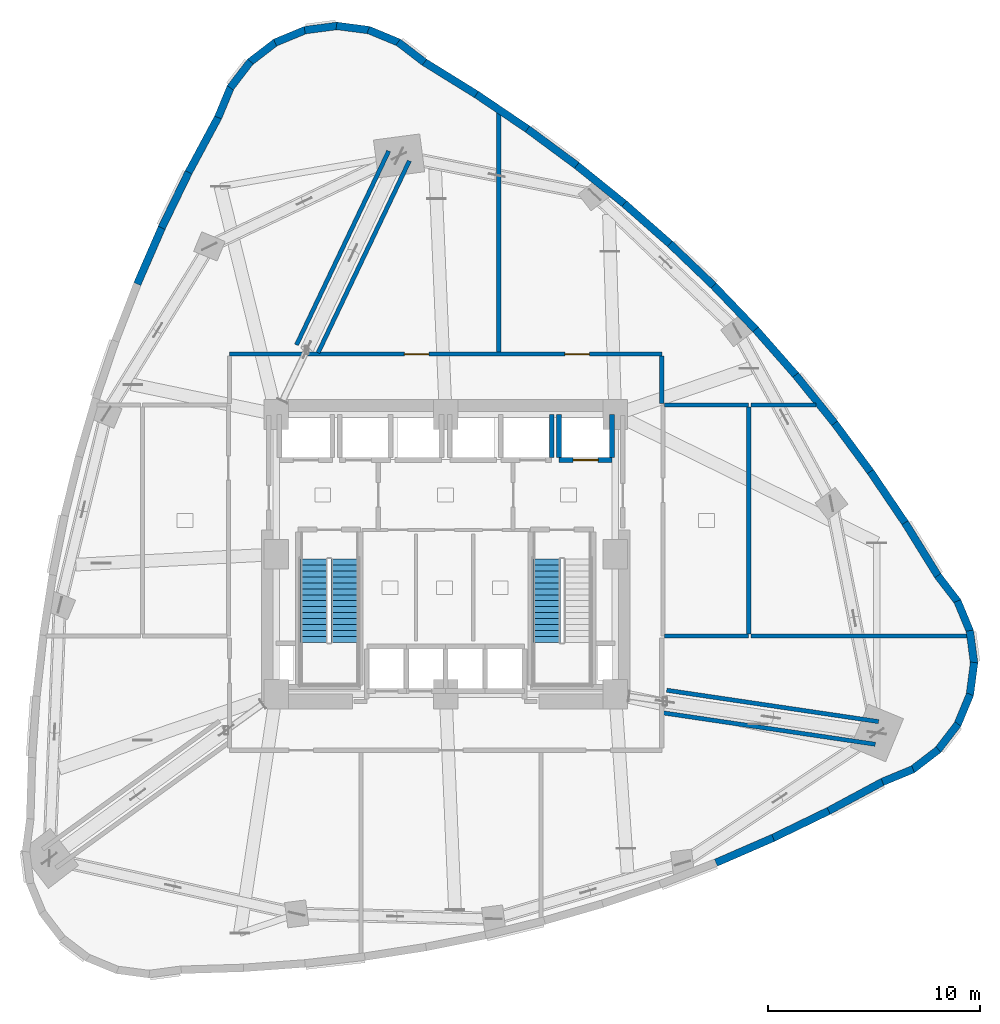
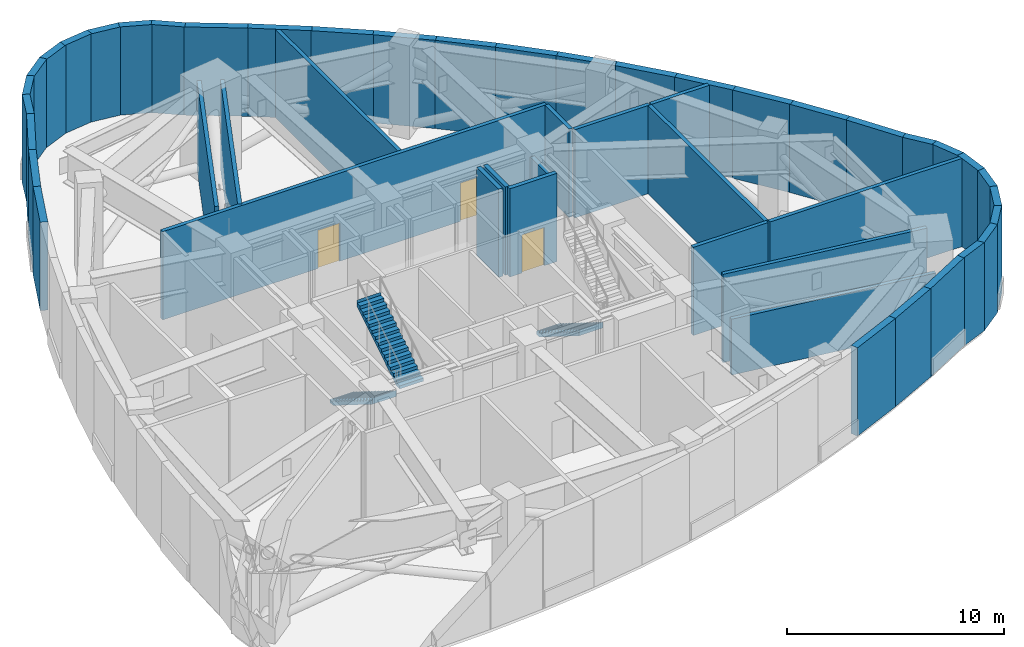
# One storey, part 8 of 13: 50 walls, 3 doors, 3 stair flights, 3 openings, 2 elements without a shape of their own.
"""IFC4 building model written with IfcOpenShell, lengths in metres."""

import ifcopenshell
import ifcopenshell.guid

model = None  # the IFC model being written
_history = None  # IfcOwnerHistory: only IFC2X3 demands one
_inside = {}  # id of a spatial element -> (the spatial element, [elements in it])
_under = {}  # id of a project, library or spatial element -> (it, [spatial elements below it])
_declared = {}  # id of a project -> (the project, [libraries it declares])
_typed = {}  # id of a type object -> (the type object, [elements of that type])
_made_of = {}  # id of a material, layer set ... -> (it, [elements and type objects made of it])


def new_model(schema):
    """Start an empty IFC model of exactly this schema.

    Asked for "IFC4X3", IfcOpenShell would pick the latest addendum, in which some entities
    have other attributes; the version numbers below select the first issue.
    IFC2X3 requires an IfcOwnerHistory on every rooted entity: one is made here for all.
    """
    global model, _history
    if schema == "IFC4X3":
        model = ifcopenshell.file(schema_version=(4, 3, 0, 0))
    else:
        model = ifcopenshell.file(schema=schema)
    _inside.clear()
    _under.clear()
    _declared.clear()
    _typed.clear()
    _made_of.clear()
    _history = None
    if model.schema == "IFC2X3":
        org = make("IfcOrganization", Name="unknown")
        user = make(
            "IfcPersonAndOrganization",
            ThePerson=make("IfcPerson", FamilyName="unknown"),
            TheOrganization=org,
        )
        app = make(
            "IfcApplication",
            ApplicationDeveloper=org,
            Version="unknown",
            ApplicationFullName="unknown",
            ApplicationIdentifier="unknown",
        )
        _history = make(
            "IfcOwnerHistory",
            OwningUser=user,
            OwningApplication=app,
            ChangeAction="ADDED",
            CreationDate=0,
        )
    return model


def make(cls, **values):
    """One entity of the class cls with the attributes given. An attribute that is None is left unset."""
    return model.create_entity(
        cls, **{name: value for name, value in values.items() if value is not None}
    )


def rooted(cls, **values):
    """An entity with a GlobalId (a new one), such as an element, a storey or a relation."""
    return make(cls, GlobalId=ifcopenshell.guid.new(), OwnerHistory=_history, **values)


def si_unit(unit_type, name, prefix=None):
    """IfcSIUnit, for example si_unit("LENGTHUNIT", "METRE", prefix="MILLI")."""
    return make("IfcSIUnit", UnitType=unit_type, Prefix=prefix, Name=name)


def assignment(units):
    """IfcUnitAssignment: the units of a project."""
    return None if units is None else make("IfcUnitAssignment", Units=units)


def point(xyz):
    """IfcCartesianPoint."""
    return None if xyz is None else make("IfcCartesianPoint", Coordinates=xyz)


def direction(xyz):
    """IfcDirection."""
    return None if xyz is None else make("IfcDirection", DirectionRatios=xyz)


def frame(location, z_axis=None, x_axis=None):
    """IfcAxis2Placement3D, a coordinate frame: its origin and axes. An axis left out is left unset."""
    return make(
        "IfcAxis2Placement3D",
        Location=point(location),
        Axis=direction(z_axis),
        RefDirection=direction(x_axis),
    )


def frame_2d(location, x_axis=None):
    """IfcAxis2Placement2D, a coordinate frame in the plane: its origin and x axis."""
    return make(
        "IfcAxis2Placement2D", Location=point(location), RefDirection=direction(x_axis)
    )


def origin():
    """The frame at (0, 0, 0) with its axes left unset."""
    return frame((0.0, 0.0, 0.0))


def place(relative_to, where):
    """IfcLocalPlacement: puts the frame where relative to a parent placement (None: the world)."""
    return make(
        "IfcLocalPlacement", PlacementRelTo=relative_to, RelativePlacement=where
    )


def context(
    kind, dimensions, precision=None, world=None, true_north=None, identifier=None
):
    """IfcGeometricRepresentationContext, for example the 3D "Model" context."""
    return make(
        "IfcGeometricRepresentationContext",
        ContextIdentifier=identifier,
        ContextType=kind,
        CoordinateSpaceDimension=dimensions,
        Precision=precision,
        WorldCoordinateSystem=world,
        TrueNorth=true_north,
    )


def subcontext(parent, identifier, kind, view, scale=None):
    """IfcGeometricRepresentationSubContext, for example "Body" below "Model"."""
    return make(
        "IfcGeometricRepresentationSubContext",
        ContextIdentifier=identifier,
        ContextType=kind,
        ParentContext=parent,
        TargetScale=scale,
        TargetView=view,
    )


def project(units=None, contexts=None):
    """IfcProject with its units and contexts."""
    return rooted(
        "IfcProject",
        Name="project",
        RepresentationContexts=contexts,
        UnitsInContext=assignment(units),
    )


def spatial(cls, under=None, at=None, **own):
    """A site, building, storey or space (cls), placed at a placement, below another one or the project."""
    s = rooted(cls, ObjectPlacement=at, **own)
    if under is not None:
        _under.setdefault(under.id(), (under, []))[1].append(s)
    return s


def polyline(points):
    """IfcPolyline through the points."""
    return make("IfcPolyline", Points=[point(p) for p in points])


def profile(cls, at=None, kind="AREA", **sizes):
    """A parametric profile (cls). Its sizes go by their IFC names, for example OverallWidth=200.0."""
    return make(cls, ProfileType=kind, Position=at, **sizes)


def rectangle(**sizes):
    """IfcRectangleProfileDef."""
    return profile("IfcRectangleProfileDef", **sizes)


def outline(outer, holes=None, kind="AREA"):
    """IfcArbitraryClosedProfileDef: a profile drawn as a closed curve; with holes, ...WithVoids."""
    if holes is None:
        return make("IfcArbitraryClosedProfileDef", ProfileType=kind, OuterCurve=outer)
    return make(
        "IfcArbitraryProfileDefWithVoids",
        ProfileType=kind,
        OuterCurve=outer,
        InnerCurves=holes,
    )


def extrude(swept, where, along, depth):
    """IfcExtrudedAreaSolid: the profile swept, set in the frame where, extruded along a direction by depth."""
    return make(
        "IfcExtrudedAreaSolid",
        SweptArea=swept,
        Position=where,
        ExtrudedDirection=direction(along),
        Depth=depth,
    )


def shape(context_of_items, identifier, shape_type, items):
    """IfcShapeRepresentation: the items that make up one representation, for example the "Body"."""
    return make(
        "IfcShapeRepresentation",
        ContextOfItems=context_of_items,
        RepresentationIdentifier=identifier,
        RepresentationType=shape_type,
        Items=items,
    )


def material(Name=None, Category=None):
    """IfcMaterial."""
    return make("IfcMaterial", Name=Name, Category=Category)


def layer(
    of_material, thickness, ventilated=None, Name=None, Category=None, Priority=None
):
    """IfcMaterialLayer: one layer of a wall or slab, of a material (None: an air gap)."""
    return make(
        "IfcMaterialLayer",
        Material=of_material,
        LayerThickness=thickness,
        IsVentilated=ventilated,
        Name=Name,
        Category=Category,
        Priority=Priority,
    )


def layer_set(layers, Name=None):
    """IfcMaterialLayerSet."""
    return make("IfcMaterialLayerSet", MaterialLayers=layers, LayerSetName=Name)


def made_of(thing, what):
    """Note that an element or type object is made of a material, layer set ...; save() writes the relation."""
    if what is not None:
        _made_of.setdefault(what.id(), (what, []))[1].append(thing)
    return thing


def type_object(cls, material=None, **own):
    """A type object (cls), such as IfcWallType, which elements share."""
    return made_of(rooted(cls, **own), material)


def element(
    cls,
    number,
    at=None,
    inside=None,
    cuts=None,
    type_object=None,
    material=None,
    context=None,
    identifier="Body",
    shape_type=None,
    held_by="IfcProductDefinitionShape",
    body=None,
    shapes=None,
    **own,
):
    """One element of the class cls, such as IfcWall. Its Tag is "e" and its number.

    at: its placement. inside: the storey or other place that contains it. cuts: it is an
    opening in that element (IfcRelVoidsElement). A single representation is given by context,
    identifier, shape_type and body (its items); several are given by shapes. held_by: the class
    of the entity that holds the representations. save() writes the other relations.
    """
    e = rooted(cls, Tag="e%d" % number, ObjectPlacement=at, **own)
    if body is not None:
        shapes = [shape(context, identifier, shape_type, body)]
    if shapes is not None:
        e.Representation = make(held_by, Representations=shapes)
    if inside is not None:
        _inside.setdefault(inside.id(), (inside, []))[1].append(e)
    if cuts is not None:
        rooted(
            "IfcRelVoidsElement", RelatingBuildingElement=cuts, RelatedOpeningElement=e
        )
    if type_object is not None:
        _typed.setdefault(type_object.id(), (type_object, []))[1].append(e)
    return made_of(e, material)


def fill(opening, filler):
    """IfcRelFillsElement: the door or window that sits in an opening."""
    return rooted(
        "IfcRelFillsElement",
        RelatingOpeningElement=opening,
        RelatedBuildingElement=filler,
    )


def aggregate(whole, parts):
    """IfcRelAggregates: a whole, such as a stair, and the parts it consists of."""
    return rooted("IfcRelAggregates", RelatingObject=whole, RelatedObjects=parts)


def save(model, path):
    """Write the relations noted so far, then the file.

    IfcRelAggregates (storeys below a building ...), IfcRelContainedInSpatialStructure (elements
    in a storey), IfcRelDefinesByType, IfcRelAssociatesMaterial and IfcRelDeclares: one each for
    every whole, place, type object, material and project.
    """
    for whole, parts in _under.values():
        aggregate(whole, parts)
    for where, things in _inside.values():
        rooted(
            "IfcRelContainedInSpatialStructure",
            RelatedElements=things,
            RelatingStructure=where,
        )
    for kind, things in _typed.values():
        rooted("IfcRelDefinesByType", RelatedObjects=things, RelatingType=kind)
    for what, things in _made_of.values():
        rooted("IfcRelAssociatesMaterial", RelatedObjects=things, RelatingMaterial=what)
    for by, libraries in _declared.values():
        rooted("IfcRelDeclares", RelatingContext=by, RelatedDefinitions=libraries)
    model.write(path)


model = new_model("IFC4")

# Units and contexts
model_context = context("Model", 3, precision=1e-05, world=origin(), true_north=direction((0.0, 1.0)))
body_context = subcontext(model_context, "Body", "Model", "MODEL_VIEW")
ifc_project = project(units=[si_unit("LENGTHUNIT", "METRE"), si_unit("AREAUNIT", "SQUARE_METRE"), si_unit("VOLUMEUNIT", "CUBIC_METRE"), si_unit("PLANEANGLEUNIT", "RADIAN"), si_unit("MASSUNIT", "GRAM", prefix="KILO")], contexts=[model_context])

# Site, building, storey
site_placement = place(None, origin())
site = spatial("IfcSite", under=ifc_project, at=site_placement, CompositionType="ELEMENT")
building_placement = place(site_placement, origin())
building = spatial("IfcBuilding", under=site, at=building_placement, Name="Ndelora Gate Hotel", CompositionType="ELEMENT")
storey_placement = place(building_placement, frame((0.0, 0.0, 83.0)))
storey = spatial("IfcBuildingStorey", under=building, at=storey_placement, Name="L20", CompositionType="ELEMENT", Elevation=83.0)

# Walls
ifc_material_1 = material(Name="Clay Brick Masonry", Category="masonry")
ifc_layer_1 = layer(ifc_material_1, 0.360107421875)
ifc_layer_set_1 = layer_set([ifc_layer_1], Name="Clay Brick Masonry")
wall_type_1 = type_object("IfcWallType", Name="WL-BRICK-360", PredefinedType="SOLIDWALL", material=ifc_layer_set_1)
for number, where, z_axis, x_axis, name in (
    (1, (-2.24658203125, 24.171142578125, 0.0), (0.0, 0.0, 1.0), (0.793377694402, -0.608729688799, 0.0), "L20 Tower Brick Pier-and-Spandrel Wall TWR-1"),
    (2, (-3.648681640625, 24.744873046875, 0.0), (0.0, 0.0, 1.0), (0.923864636245, -0.382719393153, 0.0), "L20 Tower Brick Pier-and-Spandrel Wall TWR-2"),
):
    element("IfcWall", number, at=place(storey_placement, frame(where, z_axis=z_axis, x_axis=x_axis)), inside=storey, type_object=wall_type_1, Name=name, PredefinedType="SOLIDWALL", context=body_context, shape_type="SweptSolid", body=[
        extrude(rectangle(XDim=1.564208984375, YDim=0.360107421875, at=frame_2d((0.7822265625, 0.0))), origin(), (0.0, 0.0, 1.0), 4.9599609375),
    ])
wall_1_placement = place(storey_placement, frame((-5.151611328125, 24.936279296875, 0.0), z_axis=(0.0, 0.0, 1.0), x_axis=(0.991432503809, -0.130620022932, 0.0)))
element("IfcWall", 3, at=wall_1_placement, inside=storey, type_object=wall_type_1, Name="L20 Tower Brick Pier-and-Spandrel Wall TWR-3", PredefinedType="SOLIDWALL", context=body_context, shape_type="SweptSolid", body=[
    extrude(rectangle(XDim=1.564453125, YDim=0.360107421875, at=frame_2d((0.7822265625, 0.0))), origin(), (0.0, 0.0, 1.0), 4.9599609375),
])
for number, where, z_axis, x_axis, name in (
    (4, (-6.652587890625, 24.73193359375, 0.0), (0.0, 0.0, 1.0), (0.991429840604, 0.130640235609, 0.0), "L20 Tower Brick Pier-and-Spandrel Wall TWR-4"),
    (5, (-8.0498046875, 24.146240234375, 0.0), (0.0, 0.0, 1.0), (0.923864636245, 0.382719393153, 0.0), "L20 Tower Brick Pier-and-Spandrel Wall TWR-5"),
    (6, (-9.247802734375, 23.218994140625, 0.0), (0.0, 0.0, 1.0), (0.793377694402, 0.608729688799, 0.0), "L20 Tower Brick Pier-and-Spandrel Wall TWR-6"),
):
    element("IfcWall", number, at=place(storey_placement, frame(where, z_axis=z_axis, x_axis=x_axis)), inside=storey, type_object=wall_type_1, Name=name, PredefinedType="SOLIDWALL", context=body_context, shape_type="SweptSolid", body=[
        extrude(rectangle(XDim=1.564208984375, YDim=0.360107421875, at=frame_2d((0.7822265625, 0.0))), origin(), (0.0, 0.0, 1.0), 4.9599609375),
    ])
for number, where, z_axis, x_axis, name in (
    (7, (-10.164794921875, 22.01318359375, 0.0), (0.0, 0.0, 1.0), (0.608805076812, 0.793319846246, 0.0), "L20 Tower Brick Pier-and-Spandrel Wall TWR-7"),
    (8, (-10.738525390625, 20.611083984375, 0.0), (0.0, 0.0, 1.0), (0.382774588958, 0.923841768945, 0.0), "L20 Tower Brick Pier-and-Spandrel Wall TWR-8"),
):
    element("IfcWall", number, at=place(storey_placement, frame(where, z_axis=z_axis, x_axis=x_axis)), inside=storey, type_object=wall_type_1, Name=name, PredefinedType="SOLIDWALL", context=body_context, shape_type="SweptSolid", body=[
        extrude(rectangle(XDim=1.56396484375, YDim=0.360107421875, at=frame_2d((0.781982421875, 0.0))), origin(), (0.0, 0.0, 1.0), 4.9599609375),
    ])
wall_2_placement = place(storey_placement, frame((-12.130126953125, 18.0244140625, 0.0), z_axis=(0.0, 0.0, 1.0), x_axis=(0.47301737484, 0.881053098911, 0.0)))
element("IfcWall", 9, at=wall_2_placement, inside=storey, type_object=wall_type_1, Name="L20 Tower Brick Pier-and-Spandrel Wall TWR-9", PredefinedType="SOLIDWALL", context=body_context, shape_type="SweptSolid", body=[
    extrude(rectangle(XDim=2.98681640625, YDim=0.360107421875, at=frame_2d((1.493408203125, 0.0))), origin(), (0.0, 0.0, 1.0), 4.9599609375),
])
wall_3_placement = place(storey_placement, frame((-13.400390625, 15.40478515625, 0.0), z_axis=(0.0, 0.0, 1.0), x_axis=(0.436597105128, 0.899657139022, 0.0)))
element("IfcWall", 10, at=wall_3_placement, inside=storey, type_object=wall_type_1, Name="L20 Tower Brick Pier-and-Spandrel Wall TWR-10", PredefinedType="SOLIDWALL", context=body_context, shape_type="SweptSolid", body=[
    extrude(rectangle(XDim=2.96142578125, YDim=0.360107421875, at=frame_2d((1.480712890625, 0.0))), origin(), (0.0, 0.0, 1.0), 4.9599609375),
])
for number, where, z_axis, x_axis, name in (
    (11, (-14.552734375, 12.75341796875, 0.0), (0.0, 0.0, 1.0), (0.39896286476, 0.916967083674, 0.0), "L20 Tower Brick Pier-and-Spandrel Wall TWR-11"),
    (12, (15.4501953125, -13.37939453125, 0.0), (0.0, 0.0, 1.0), (-0.916967083674, -0.39896286476, 0.0), "L20 Tower Brick Pier-and-Spandrel Wall TWR-38"),
):
    element("IfcWall", number, at=place(storey_placement, frame(where, z_axis=z_axis, x_axis=x_axis)), inside=storey, type_object=wall_type_1, Name=name, PredefinedType="SOLIDWALL", context=body_context, shape_type="SweptSolid", body=[
        extrude(rectangle(XDim=2.94091796875, YDim=0.360107421875, at=frame_2d((1.470458984375, 0.0))), origin(), (0.0, 0.0, 1.0), 4.9599609375),
    ])
wall_4_placement = place(storey_placement, frame((18.069091796875, -12.107421875, 0.0), z_axis=(0.0, 0.0, 1.0), x_axis=(-0.899657139022, -0.436597105128, 0.0)))
element("IfcWall", 13, at=wall_4_placement, inside=storey, type_object=wall_type_1, Name="L20 Tower Brick Pier-and-Spandrel Wall TWR-39", PredefinedType="SOLIDWALL", context=body_context, shape_type="SweptSolid", body=[
    extrude(rectangle(XDim=2.96142578125, YDim=0.360107421875, at=frame_2d((1.480712890625, 0.0))), origin(), (0.0, 0.0, 1.0), 4.9599609375),
])
wall_5_placement = place(storey_placement, frame((20.656005859375, -10.71728515625, 0.0), z_axis=(0.0, 0.0, 1.0), x_axis=(-0.881053098911, -0.47301737484, 0.0)))
element("IfcWall", 14, at=wall_5_placement, inside=storey, type_object=wall_type_1, Name="L20 Tower Brick Pier-and-Spandrel Wall TWR-40", PredefinedType="SOLIDWALL", context=body_context, shape_type="SweptSolid", body=[
    extrude(rectangle(XDim=2.98681640625, YDim=0.360107421875, at=frame_2d((1.493408203125, 0.0))), origin(), (0.0, 0.0, 1.0), 4.9599609375),
])
for number, where, z_axis, x_axis, name in (
    (15, (22.055908203125, -10.139892578125, 0.0), (0.0, 0.0, 1.0), (-0.923841768945, -0.382774588958, 0.0), "L20 Tower Brick Pier-and-Spandrel Wall TWR-41"),
    (16, (23.25390625, -9.212646484375, 0.0), (0.0, 0.0, 1.0), (-0.793319846246, -0.608805076812, 0.0), "L20 Tower Brick Pier-and-Spandrel Wall TWR-42"),
):
    element("IfcWall", number, at=place(storey_placement, frame(where, z_axis=z_axis, x_axis=x_axis)), inside=storey, type_object=wall_type_1, Name=name, PredefinedType="SOLIDWALL", context=body_context, shape_type="SweptSolid", body=[
        extrude(rectangle(XDim=1.56396484375, YDim=0.360107421875, at=frame_2d((0.781982421875, 0.0))), origin(), (0.0, 0.0, 1.0), 4.9599609375),
    ])
for number, where, z_axis, x_axis, name in (
    (17, (24.171142578125, -8.0068359375, 0.0), (0.0, 0.0, 1.0), (-0.608729688799, -0.793377694402, 0.0), "L20 Tower Brick Pier-and-Spandrel Wall TWR-43"),
    (18, (24.744873046875, -6.604736328125, 0.0), (0.0, 0.0, 1.0), (-0.382719393153, -0.923864636245, 0.0), "L20 Tower Brick Pier-and-Spandrel Wall TWR-44"),
    (19, (24.936279296875, -5.101806640625, 0.0), (0.0, 0.0, 1.0), (-0.130640235609, -0.991429840604, 0.0), "L20 Tower Brick Pier-and-Spandrel Wall TWR-45"),
):
    element("IfcWall", number, at=place(storey_placement, frame(where, z_axis=z_axis, x_axis=x_axis)), inside=storey, type_object=wall_type_1, Name=name, PredefinedType="SOLIDWALL", context=body_context, shape_type="SweptSolid", body=[
        extrude(rectangle(XDim=1.564208984375, YDim=0.360107421875, at=frame_2d((0.7822265625, 0.0))), origin(), (0.0, 0.0, 1.0), 4.9599609375),
    ])
wall_6_placement = place(storey_placement, frame((24.73193359375, -3.6005859375, 0.0), z_axis=(0.0, 0.0, 1.0), x_axis=(0.130620022932, -0.991432503809, 0.0)))
element("IfcWall", 20, at=wall_6_placement, inside=storey, type_object=wall_type_1, Name="L20 Tower Brick Pier-and-Spandrel Wall TWR-46", PredefinedType="SOLIDWALL", context=body_context, shape_type="SweptSolid", body=[
    extrude(rectangle(XDim=1.564453125, YDim=0.360107421875, at=frame_2d((0.7822265625, 0.0))), origin(), (0.0, 0.0, 1.0), 4.9599609375),
])
for number, where, z_axis, x_axis, name in (
    (21, (24.146240234375, -2.20361328125, 0.0), (0.0, 0.0, 1.0), (0.382719393153, -0.923864636245, 0.0), "L20 Tower Brick Pier-and-Spandrel Wall TWR-47"),
    (22, (23.218994140625, -1.005615234375, 0.0), (0.0, 0.0, 1.0), (0.608729688799, -0.793377694402, 0.0), "L20 Tower Brick Pier-and-Spandrel Wall TWR-48"),
):
    element("IfcWall", number, at=place(storey_placement, frame(where, z_axis=z_axis, x_axis=x_axis)), inside=storey, type_object=wall_type_1, Name=name, PredefinedType="SOLIDWALL", context=body_context, shape_type="SweptSolid", body=[
        extrude(rectangle(XDim=1.564208984375, YDim=0.360107421875, at=frame_2d((0.7822265625, 0.0))), origin(), (0.0, 0.0, 1.0), 4.9599609375),
    ])
wall_7_placement = place(storey_placement, frame((21.674560546875, 1.492919921875, 0.0), z_axis=(0.0, 0.0, 1.0), x_axis=(0.526512172548, -0.850167590631, 0.0)))
element("IfcWall", 23, at=wall_7_placement, inside=storey, type_object=wall_type_1, Name="L20 Tower Brick Pier-and-Spandrel Wall TWR-49", PredefinedType="SOLIDWALL", context=body_context, shape_type="SweptSolid", body=[
    extrude(rectangle(XDim=2.987060546875, YDim=0.360107421875, at=frame_2d((1.49365234375, 0.0))), origin(), (0.0, 0.0, 1.0), 4.9599609375),
])
wall_8_placement = place(storey_placement, frame((20.041015625, 3.90283203125, 0.0), z_axis=(0.0, 0.0, 1.0), x_axis=(0.560791640222, -0.82795696522, 0.0)))
element("IfcWall", 24, at=wall_8_placement, inside=storey, type_object=wall_type_1, Name="L20 Tower Brick Pier-and-Spandrel Wall TWR-50", PredefinedType="SOLIDWALL", context=body_context, shape_type="SweptSolid", body=[
    extrude(rectangle(XDim=2.961669921875, YDim=0.360107421875, at=frame_2d((1.48095703125, 0.0))), origin(), (0.0, 0.0, 1.0), 4.9599609375),
])
wall_9_placement = place(storey_placement, frame((18.321044921875, 6.226318359375, 0.0), z_axis=(0.0, 0.0, 1.0), x_axis=(0.594727132913, -0.803927631928, 0.0)))
element("IfcWall", 25, at=wall_9_placement, inside=storey, type_object=wall_type_1, Name="L20 Tower Brick Pier-and-Spandrel Wall TWR-51", PredefinedType="SOLIDWALL", context=body_context, shape_type="SweptSolid", body=[
    extrude(rectangle(XDim=2.94091796875, YDim=0.360107421875, at=frame_2d((1.470458984375, 0.0))), origin(), (0.0, 0.0, 1.0), 4.9599609375),
])
wall_10_placement = place(storey_placement, frame((16.5146484375, 8.46337890625, 0.0), z_axis=(0.0, 0.0, 1.0), x_axis=(0.627997101548, -0.778215677333, 0.0)))
element("IfcWall", 26, at=wall_10_placement, inside=storey, type_object=wall_type_1, Name="L20 Tower Brick Pier-and-Spandrel Wall TWR-52", PredefinedType="SOLIDWALL", context=body_context, shape_type="SweptSolid", body=[
    extrude(rectangle(XDim=2.925537109375, YDim=0.360107421875, at=frame_2d((1.462890625, 0.0))), origin(), (0.0, 0.0, 1.0), 4.9599609375),
])
wall_11_placement = place(storey_placement, frame((14.621826171875, 10.614013671875, 0.0), z_axis=(0.0, 0.0, 1.0), x_axis=(0.660388082985, -0.750924483455, 0.0)))
element("IfcWall", 27, at=wall_11_placement, inside=storey, type_object=wall_type_1, Name="L20 Tower Brick Pier-and-Spandrel Wall TWR-53", PredefinedType="SOLIDWALL", context=body_context, shape_type="SweptSolid", body=[
    extrude(rectangle(XDim=2.9150390625, YDim=0.360107421875, at=frame_2d((1.45751953125, 0.0))), origin(), (0.0, 0.0, 1.0), 4.9599609375),
])
for number, where, z_axis, x_axis, name in (
    (28, (12.642578125, 12.677978515625, 0.0), (0.0, 0.0, 1.0), (0.691843403406, -0.722047578185, 0.0), "L20 Tower Brick Pier-and-Spandrel Wall TWR-54"),
    (29, (10.576904296875, 14.65576171875, 0.0), (0.0, 0.0, 1.0), (0.722047578185, -0.691843403406, 0.0), "L20 Tower Brick Pier-and-Spandrel Wall TWR-55"),
):
    element("IfcWall", number, at=place(storey_placement, frame(where, z_axis=z_axis, x_axis=x_axis)), inside=storey, type_object=wall_type_1, Name=name, PredefinedType="SOLIDWALL", context=body_context, shape_type="SweptSolid", body=[
        extrude(rectangle(XDim=2.909912109375, YDim=0.360107421875, at=frame_2d((1.455078125, 0.0))), origin(), (0.0, 0.0, 1.0), 4.9599609375),
    ])
wall_12_placement = place(storey_placement, frame((8.425048828125, 16.546875, 0.0), z_axis=(0.0, 0.0, 1.0), x_axis=(0.750924483455, -0.660388082985, 0.0)))
element("IfcWall", 30, at=wall_12_placement, inside=storey, type_object=wall_type_1, Name="L20 Tower Brick Pier-and-Spandrel Wall TWR-56", PredefinedType="SOLIDWALL", context=body_context, shape_type="SweptSolid", body=[
    extrude(rectangle(XDim=2.9150390625, YDim=0.360107421875, at=frame_2d((1.45751953125, 0.0))), origin(), (0.0, 0.0, 1.0), 4.9599609375),
])
wall_13_placement = place(storey_placement, frame((6.186767578125, 18.351806640625, 0.0), z_axis=(0.0, 0.0, 1.0), x_axis=(0.778215677333, -0.627997101548, 0.0)))
element("IfcWall", 31, at=wall_13_placement, inside=storey, type_object=wall_type_1, Name="L20 Tower Brick Pier-and-Spandrel Wall TWR-57", PredefinedType="SOLIDWALL", context=body_context, shape_type="SweptSolid", body=[
    extrude(rectangle(XDim=2.925537109375, YDim=0.360107421875, at=frame_2d((1.462890625, 0.0))), origin(), (0.0, 0.0, 1.0), 4.9599609375),
])
wall_14_placement = place(storey_placement, frame((3.862060546875, 20.070068359375, 0.0), z_axis=(0.0, 0.0, 1.0), x_axis=(0.803927631928, -0.594727132913, 0.0)))
element("IfcWall", 32, at=wall_14_placement, inside=storey, type_object=wall_type_1, Name="L20 Tower Brick Pier-and-Spandrel Wall TWR-58", PredefinedType="SOLIDWALL", context=body_context, shape_type="SweptSolid", body=[
    extrude(rectangle(XDim=2.94091796875, YDim=0.360107421875, at=frame_2d((1.470458984375, 0.0))), origin(), (0.0, 0.0, 1.0), 4.9599609375),
])
wall_15_placement = place(storey_placement, frame((1.45068359375, 21.701904296875, 0.0), z_axis=(0.0, 0.0, 1.0), x_axis=(0.82795696522, -0.560791640222, 0.0)))
element("IfcWall", 33, at=wall_15_placement, inside=storey, type_object=wall_type_1, Name="L20 Tower Brick Pier-and-Spandrel Wall TWR-59", PredefinedType="SOLIDWALL", context=body_context, shape_type="SweptSolid", body=[
    extrude(rectangle(XDim=2.961669921875, YDim=0.360107421875, at=frame_2d((1.48095703125, 0.0))), origin(), (0.0, 0.0, 1.0), 4.9599609375),
])
wall_16_placement = place(storey_placement, frame((-1.046630859375, 23.247314453125, 0.0), z_axis=(0.0, 0.0, 1.0), x_axis=(0.850167590631, -0.526512172548, 0.0)))
element("IfcWall", 34, at=wall_16_placement, inside=storey, type_object=wall_type_1, Name="L20 Tower Brick Pier-and-Spandrel Wall TWR-60", PredefinedType="SOLIDWALL", context=body_context, shape_type="SweptSolid", body=[
    extrude(rectangle(XDim=2.987060546875, YDim=0.360107421875, at=frame_2d((1.49365234375, 0.0))), origin(), (0.0, 0.0, 1.0), 4.9599609375),
])
ifc_material_2 = material(Name="Concrete C40/50", Category="concrete")
ifc_layer_2 = layer(ifc_material_2, 0.199951171875)
ifc_layer_set_2 = layer_set([ifc_layer_2], Name="Concrete C40/50")
wall_type_2 = type_object("IfcWallType", Name="WL-FIRE-200", PredefinedType="PARTITIONING", material=ifc_layer_set_2)
wall_17_placement = place(storey_placement, frame((-6.0185546875, 9.510009765625, 0.0), z_axis=(0.0, 0.0, 1.0), x_axis=(0.429345769581, 0.903140194069, 0.0)))
element("IfcWall", 35, at=wall_17_placement, inside=storey, type_object=wall_type_2, Name="L20 Interior Wall IW-2", PredefinedType="PARTITIONING", context=body_context, shape_type="SweptSolid", body=[
    extrude(rectangle(XDim=10.029541015625, YDim=0.199951171875, at=frame_2d((5.0146484375, 0.0))), origin(), (0.0, 0.0, 1.0), 4.9599609375),
])
wall_18_placement = place(storey_placement, frame((-7.03759765625, 9.8818359375, 0.0), z_axis=(0.0, 0.0, 1.0), x_axis=(0.4293413895, 0.903142276312, 0.0)))
element("IfcWall", 36, at=wall_18_placement, inside=storey, type_object=wall_type_2, Name="L20 Interior Wall IW-2", PredefinedType="PARTITIONING", context=body_context, shape_type="SweptSolid", body=[
    extrude(rectangle(XDim=10.13134765625, YDim=0.199951171875, at=frame_2d((5.065673828125, 0.0))), origin(), (0.0, 0.0, 1.0), 4.9599609375),
])
wall_19_placement = place(storey_placement, frame((10.27099609375, -7.482421875, 0.0), z_axis=(0.0, 0.0, 1.0), x_axis=(0.989210981793, -0.146497895888, 0.0)))
element("IfcWall", 37, at=wall_19_placement, inside=storey, type_object=wall_type_2, Name="L20 Interior Wall IW-2", PredefinedType="PARTITIONING", context=body_context, shape_type="SweptSolid", body=[
    extrude(rectangle(XDim=10.109130859375, YDim=0.199951171875, at=frame_2d((5.0546875, 0.0))), origin(), (0.0, 0.0, 1.0), 3.139892578125),
])
wall_20_placement = place(storey_placement, frame((10.42919921875, -6.413818359375, 0.0), z_axis=(0.0, 0.0, 1.0), x_axis=(0.989207481674, -0.146521528108, 0.0)))
element("IfcWall", 38, at=wall_20_placement, inside=storey, type_object=wall_type_2, Name="L20 Interior Wall IW-2", PredefinedType="PARTITIONING", context=body_context, shape_type="SweptSolid", body=[
    extrude(rectangle(XDim=10.109130859375, YDim=0.199951171875, at=frame_2d((5.0546875, 0.0))), origin(), (0.0, 0.0, 1.0), 4.9599609375),
])
wall_21_placement = place(storey_placement, frame((14.300048828125, 6.949951171875, 0.0), z_axis=(0.0, 0.0, 1.0), x_axis=(0.0, -1.0, 0.0)))
element("IfcWall", 39, at=wall_21_placement, inside=storey, type_object=wall_type_2, Name="L20 Interior Wall IW-2", PredefinedType="PARTITIONING", context=body_context, shape_type="SweptSolid", body=[
    extrude(rectangle(XDim=10.699951171875, YDim=0.199951171875, at=frame_2d((5.35009765625, 0.0))), origin(), (0.0, 0.0, 1.0), 4.9599609375),
])
for number, where, z_axis, x_axis, name in (
    (40, (10.320068359375, -3.85009765625, 0.0), (0.0, 0.0, 1.0), (1.0, 0.0, 0.0), "L20 Interior Wall IW-2"),
    (41, (14.300048828125, 7.050048828125, 0.0), (0.0, 0.0, 1.0), (-1.0, 0.0, 0.0), "L20 Interior Wall IW-2"),
):
    element("IfcWall", number, at=place(storey_placement, frame(where, z_axis=z_axis, x_axis=x_axis)), inside=storey, type_object=wall_type_2, Name=name, PredefinedType="PARTITIONING", context=body_context, shape_type="SweptSolid", body=[
        extrude(rectangle(XDim=3.97998046875, YDim=0.199951171875, at=frame_2d((1.989990234375, 0.0))), origin(), (0.0, 0.0, 1.0), 4.9599609375),
    ])
wall_22_placement = place(storey_placement, frame((2.5, 9.550048828125, 0.0), z_axis=(0.0, 0.0, 1.0), x_axis=(0.0, 1.0, 0.0)))
element("IfcWall", 42, at=wall_22_placement, inside=storey, type_object=wall_type_2, Name="L20 Interior Wall IW-2", PredefinedType="PARTITIONING", context=body_context, shape_type="SweptSolid", body=[
    extrude(rectangle(XDim=11.27197265625, YDim=0.199951171875, at=frame_2d((5.635986328125, 0.0))), origin(), (0.0, 0.0, 1.0), 4.9599609375),
])
wall_23_placement = place(storey_placement, frame((14.39990234375, 7.050048828125, 0.0), z_axis=(0.0, 0.0, 1.0), x_axis=(1.0, 0.0, 0.0)))
element("IfcWall", 43, at=wall_23_placement, inside=storey, type_object=wall_type_2, Name="L20 Interior Wall IW-2", PredefinedType="PARTITIONING", context=body_context, shape_type="SweptSolid", body=[
    extrude(rectangle(XDim=3.0751953125, YDim=0.199951171875, at=frame_2d((1.53759765625, 0.0))), origin(), (0.0, 0.0, 1.0), 4.9599609375),
])
wall_24_placement = place(storey_placement, frame((14.39990234375, -3.85009765625, 0.0), z_axis=(0.0, 0.0, 1.0), x_axis=(1.0, 0.0, 0.0)))
element("IfcWall", 44, at=wall_24_placement, inside=storey, type_object=wall_type_2, Name="L20 Interior Wall IW-2", PredefinedType="PARTITIONING", context=body_context, shape_type="SweptSolid", body=[
    extrude(rectangle(XDim=10.2236328125, YDim=0.199951171875, at=frame_2d((5.11181640625, 0.0))), origin(), (0.0, 0.0, 1.0), 4.9599609375),
])

# Wall, openings, doors
wall_25_placement = place(storey_placement, frame((10.199951171875, 9.449951171875, 0.0), z_axis=(0.0, 0.0, 1.0), x_axis=(-1.0, 0.0, 0.0)))
wall_25 = element("IfcWall", 45, at=wall_25_placement, inside=storey, type_object=wall_type_2, Name="L20 Interior Wall IW-2", PredefinedType="PARTITIONING", context=body_context, shape_type="SweptSolid", body=[
    extrude(rectangle(XDim=20.39990234375, YDim=0.199951171875, at=frame_2d((10.199951171875, 0.0))), origin(), (0.0, 0.0, 1.0), 4.9599609375),
])
opening_1_placement = place(wall_25_placement, frame((10.997314453125, 0.0, 0.0)))
opening_1 = element("IfcOpeningElement", 46, at=opening_1_placement, cuts=wall_25, Name="Opening FD1", PredefinedType="OPENING", context=body_context, shape_type="SweptSolid", body=[
    extrude(rectangle(XDim=1.14990234375, YDim=2.14990234375, at=frame_2d((0.574951171875, 1.074951171875))), frame((0.0, 0.10986328125, 0.0), z_axis=(0.0, -1.0, 0.0), x_axis=(1.0, 0.0, 0.0)), (0.0, 0.0, 1.0), 0.219970703125),
])
opening_2_placement = place(wall_25_placement, frame((3.425048828125, 0.0, 0.0)))
opening_2 = element("IfcOpeningElement", 47, at=opening_2_placement, cuts=wall_25, Name="Opening FD1", PredefinedType="OPENING", context=body_context, shape_type="SweptSolid", body=[
    extrude(rectangle(XDim=1.14990234375, YDim=2.14990234375, at=frame_2d((0.574951171875, 1.074951171875))), frame((0.0, 0.10986328125, 0.0), z_axis=(0.0, -1.0, 0.0), x_axis=(1.0, 0.0, 0.0)), (0.0, 0.0, 1.0), 0.219970703125),
])
ifc_material_3 = material(Name="Fire-Rated Timber-Veneer Steel Core", Category="steel")
door_type_1 = type_object("IfcDoorType", Name="DR-FD60", OperationType="SINGLE_SWING_LEFT", PredefinedType="DOOR", material=ifc_material_3)
door_1_placement = place(opening_1_placement, origin())
door_1 = element("IfcDoor", 48, at=door_1_placement, inside=storey, type_object=door_type_1, Name="L20 Chiller and Heat Rejection Plant Room Fire Door", OperationType="SINGLE_SWING_RIGHT", OverallHeight=2.14990234375, OverallWidth=1.14990234375, PredefinedType="DOOR", context=body_context, shape_type="SweptSolid", body=[
    extrude(rectangle(XDim=1.14990234375, YDim=2.14990234375, at=frame_2d((0.574951171875, 1.074951171875))), frame((0.0, 0.02490234375, 0.0), z_axis=(0.0, -1.0, 0.0), x_axis=(1.0, 0.0, 0.0)), (0.0, 0.0, 1.0), 0.050048828125),
])
fill(opening_1, door_1)
door_2_placement = place(opening_2_placement, origin())
door_2 = element("IfcDoor", 49, at=door_2_placement, inside=storey, type_object=door_type_1, Name="L20 Highland AHU Ventilation Fan Room Fire Door", OperationType="SINGLE_SWING_LEFT", OverallHeight=2.14990234375, OverallWidth=1.14990234375, PredefinedType="DOOR", context=body_context, shape_type="SweptSolid", body=[
    extrude(rectangle(XDim=1.14990234375, YDim=2.14990234375, at=frame_2d((0.574951171875, 1.074951171875))), frame((0.0, 0.02490234375, 0.0), z_axis=(0.0, -1.0, 0.0), x_axis=(1.0, 0.0, 0.0)), (0.0, 0.0, 1.0), 0.050048828125),
])
fill(opening_2, door_2)

# Wall
wall_26_placement = place(storey_placement, frame((10.199951171875, 7.1201171875, 0.0), z_axis=(0.0, 0.0, 1.0), x_axis=(0.0, 1.0, 0.0)))
element("IfcWall", 50, at=wall_26_placement, inside=storey, type_object=wall_type_2, Name="L20 Interior Wall IW-2", PredefinedType="PARTITIONING", context=body_context, shape_type="SweptSolid", body=[
    extrude(rectangle(XDim=2.22998046875, YDim=0.199951171875, at=frame_2d((1.114990234375, 0.0))), origin(), (0.0, 0.0, 1.0), 4.9599609375),
])

# Wall, opening, door
ifc_layer_3 = layer(ifc_material_2, 0.219970703125)
ifc_layer_set_3 = layer_set([ifc_layer_3], Name="Concrete C40/50")
wall_type_3 = type_object("IfcWallType", Name="WL-SHAFT-220", PredefinedType="PARTITIONING", material=ifc_layer_set_3)
wall_27_placement = place(storey_placement, frame((5.35009765625, 4.449951171875, 0.0), z_axis=(0.0, 0.0, 1.0), x_axis=(1.0, 0.0, 0.0)))
wall_27 = element("IfcWall", 51, at=wall_27_placement, inside=storey, type_object=wall_type_3, Name="L20 Interior Wall IW-1", PredefinedType="PARTITIONING", context=body_context, shape_type="SweptSolid", body=[
    extrude(rectangle(XDim=2.5, YDim=0.219970703125, at=frame_2d((1.25, 0.0))), origin(), (0.0, 0.0, 1.0), 4.9599609375),
])
opening_3_placement = place(wall_27_placement, frame((0.659912109375, 0.0, 0.0)))
opening_3 = element("IfcOpeningElement", 52, at=opening_3_placement, cuts=wall_27, Name="Opening LD5", PredefinedType="OPENING", context=body_context, shape_type="SweptSolid", body=[
    extrude(rectangle(XDim=1.179931640625, YDim=2.14990234375, at=frame_2d((0.58984375, 1.074951171875))), frame((0.0, 0.1201171875, 0.0), z_axis=(0.0, -1.0, 0.0), x_axis=(1.0, 0.0, 0.0)), (0.0, 0.0, 1.0), 0.239990234375),
])
ifc_material_4 = material(Name="Firefighting Lift Stainless Sliding Landing Door", Category="metal")
door_type_2 = type_object("IfcDoorType", Name="DR-LD5", OperationType="DOUBLE_DOOR_SLIDING", PredefinedType="DOOR", material=ifc_material_4)
door_3_placement = place(opening_3_placement, origin())
door_3 = element("IfcDoor", 53, at=door_3_placement, inside=storey, type_object=door_type_2, Name="L20 Lift Landing Sliding Door FFL2", OperationType="DOUBLE_DOOR_SLIDING", OverallHeight=2.14990234375, OverallWidth=1.179931640625, PredefinedType="DOOR", context=body_context, shape_type="SweptSolid", body=[
    extrude(rectangle(XDim=1.179931640625, YDim=2.14990234375, at=frame_2d((0.58984375, 1.074951171875))), frame((0.0, 0.02490234375, 0.0), z_axis=(0.0, -1.0, 0.0), x_axis=(1.0, 0.0, 0.0)), (0.0, 0.0, 1.0), 0.050048828125),
])
fill(opening_3, door_3)

# Walls
wall_28_placement = place(storey_placement, frame((5.35009765625, 4.570068359375, 0.0), z_axis=(0.0, 0.0, 1.0), x_axis=(0.0, 1.0, 0.0)))
element("IfcWall", 54, at=wall_28_placement, inside=storey, type_object=wall_type_3, Name="L20 Interior Wall IW-1", PredefinedType="PARTITIONING", context=body_context, shape_type="SweptSolid", body=[
    extrude(rectangle(XDim=2.030029296875, YDim=0.219970703125, at=frame_2d((1.01513671875, 0.0))), origin(), (0.0, 0.0, 1.0), 4.9599609375),
])
wall_29_placement = place(storey_placement, frame((7.85009765625, 4.570068359375, 0.0), z_axis=(0.0, 0.0, 1.0), x_axis=(0.0, 1.0, 0.0)))
element("IfcWall", 55, at=wall_29_placement, inside=storey, type_object=wall_type_3, Name="L20 Interior Wall IW-1", PredefinedType="PARTITIONING", context=body_context, shape_type="SweptSolid", body=[
    extrude(rectangle(XDim=2.030029296875, YDim=0.219970703125, at=frame_2d((1.01513671875, 0.0))), origin(), (0.0, 0.0, 1.0), 4.5400390625),
])
wall_30_placement = place(storey_placement, frame((5.0, 4.570068359375, 0.0), z_axis=(0.0, 0.0, 1.0), x_axis=(0.0, 1.0, 0.0)))
element("IfcWall", 56, at=wall_30_placement, inside=storey, type_object=wall_type_3, Name="L20 Interior Wall IW-1", PredefinedType="PARTITIONING", context=body_context, shape_type="SweptSolid", body=[
    extrude(rectangle(XDim=2.030029296875, YDim=0.219970703125, at=frame_2d((1.01513671875, 0.0))), origin(), (0.0, 0.0, 1.0), 4.9599609375),
])

# Stair, stair flights
ifc_material_5 = material(Name="Precast concrete C40/50", Category="concrete")
stair_type = type_object("IfcStairType", Name="STR-DOG-CORE", PredefinedType="HALF_TURN_STAIR", material=ifc_material_5)
stair_1_placement = place(storey_placement, origin())
stair_1 = element("IfcStair", 57, at=stair_1_placement, inside=storey, type_object=stair_type, Name="L20 Protected Core Exit Stair ST4", PredefinedType="HALF_TURN_STAIR")
stair_flight_type = type_object("IfcStairFlightType", Name="STF-PRECAST", PredefinedType="STRAIGHT", material=ifc_material_5)
stair_flight_1_placement = place(storey_placement, frame((-6.2099609375, -0.22998046875, 0.0), z_axis=(0.0, 0.0, 1.0), x_axis=(0.0, -1.0, 0.0)))
stair_flight_1 = element("IfcStairFlight", 58, at=stair_flight_1_placement, type_object=stair_flight_type, Name="ST4 flight 1", NumberOfRisers=15, NumberOfTreads=14, PredefinedType="STRAIGHT", RiserHeight=0.175, TreadLength=0.28, context=body_context, shape_type="SweptSolid", body=[
    extrude(outline(polyline([(-0.00048828125, 0.0), (-0.00048828125, 0.175048828125), (0.0, 0.175048828125), (0.280029296875, 0.175048828125), (0.280029296875, 0.35009765625), (0.56005859375, 0.35009765625), (0.56005859375, 0.52490234375), (0.840087890625, 0.52490234375), (0.840087890625, 0.699951171875), (1.1201171875, 0.699951171875), (1.1201171875, 0.875), (1.39990234375, 0.875), (1.39990234375, 1.050048828125), (1.679931640625, 1.050048828125), (1.679931640625, 1.22509765625), (1.9599609375, 1.22509765625), (1.9599609375, 1.39990234375), (2.239990234375, 1.39990234375), (2.239990234375, 1.574951171875), (2.52001953125, 1.574951171875), (2.52001953125, 1.75), (2.800048828125, 1.75), (2.800048828125, 1.925048828125), (3.080078125, 1.925048828125), (3.080078125, 2.10009765625), (3.360107421875, 2.10009765625), (3.360107421875, 2.27490234375), (3.639892578125, 2.27490234375), (3.639892578125, 2.449951171875), (3.919921875, 2.449951171875), (3.919921875, 2.625), (3.920654296875, 2.625), (3.920654296875, 2.445068359375), (3.919921875, 2.273193359375), (0.28271484375, 0.0), (-0.00048828125, 0.0)])), frame((0.0, 0.64013671875, 0.0), z_axis=(0.0, -1.0, 0.0), x_axis=(1.0, 0.0, 0.0)), (0.0, 0.0, 1.0), 1.280029296875),
])
stair_flight_2_placement = place(storey_placement, frame((-4.77001953125, -4.14990234375, 2.625), z_axis=(0.0, 0.0, 1.0), x_axis=(0.0, 1.0, 0.0)))
stair_flight_2 = element("IfcStairFlight", 59, at=stair_flight_2_placement, type_object=stair_flight_type, Name="ST4 flight 2", NumberOfRisers=15, NumberOfTreads=14, PredefinedType="STRAIGHT", RiserHeight=0.175, TreadLength=0.28, context=body_context, shape_type="SweptSolid", body=[
    extrude(outline(polyline([(-0.00048828125, 0.0), (-0.00048828125, 0.175048828125), (0.0, 0.175048828125), (0.280029296875, 0.175048828125), (0.280029296875, 0.35009765625), (0.56005859375, 0.35009765625), (0.56005859375, 0.52490234375), (0.840087890625, 0.52490234375), (0.840087890625, 0.699951171875), (1.1201171875, 0.699951171875), (1.1201171875, 0.875), (1.39990234375, 0.875), (1.39990234375, 1.050048828125), (1.679931640625, 1.050048828125), (1.679931640625, 1.22509765625), (1.9599609375, 1.22509765625), (1.9599609375, 1.39990234375), (2.239990234375, 1.39990234375), (2.239990234375, 1.574951171875), (2.52001953125, 1.574951171875), (2.52001953125, 1.75), (2.800048828125, 1.75), (2.800048828125, 1.925048828125), (3.080078125, 1.925048828125), (3.080078125, 2.10009765625), (3.360107421875, 2.10009765625), (3.360107421875, 2.27490234375), (3.639892578125, 2.27490234375), (3.639892578125, 2.449951171875), (3.919921875, 2.449951171875), (3.919921875, 2.625), (3.920654296875, 2.625), (3.920654296875, 2.445068359375), (3.919921875, 2.273193359375), (0.28271484375, 0.0), (-0.00048828125, 0.0)])), frame((0.0, 0.64013671875, 0.0), z_axis=(0.0, -1.0, 0.0), x_axis=(1.0, 0.0, 0.0)), (0.0, 0.0, 1.0), 1.280029296875),
])
aggregate(stair_1, [stair_flight_1, stair_flight_2])

# Stair, stair flight
stair_2_placement = place(storey_placement, origin())
stair_2 = element("IfcStair", 60, at=stair_2_placement, inside=storey, type_object=stair_type, Name="L20 Protected Core Exit Stair ST5", PredefinedType="HALF_TURN_STAIR")
stair_flight_3_placement = place(storey_placement, frame((4.77001953125, -0.22998046875, 0.0), z_axis=(0.0, 0.0, 1.0), x_axis=(0.0, -1.0, 0.0)))
stair_flight_3 = element("IfcStairFlight", 61, at=stair_flight_3_placement, type_object=stair_flight_type, Name="ST5 flight 1", NumberOfRisers=15, NumberOfTreads=14, PredefinedType="STRAIGHT", RiserHeight=0.175, TreadLength=0.28, context=body_context, shape_type="SweptSolid", body=[
    extrude(outline(polyline([(-0.00048828125, 0.0), (-0.00048828125, 0.175048828125), (0.0, 0.175048828125), (0.280029296875, 0.175048828125), (0.280029296875, 0.35009765625), (0.56005859375, 0.35009765625), (0.56005859375, 0.52490234375), (0.840087890625, 0.52490234375), (0.840087890625, 0.699951171875), (1.1201171875, 0.699951171875), (1.1201171875, 0.875), (1.39990234375, 0.875), (1.39990234375, 1.050048828125), (1.679931640625, 1.050048828125), (1.679931640625, 1.22509765625), (1.9599609375, 1.22509765625), (1.9599609375, 1.39990234375), (2.239990234375, 1.39990234375), (2.239990234375, 1.574951171875), (2.52001953125, 1.574951171875), (2.52001953125, 1.75), (2.800048828125, 1.75), (2.800048828125, 1.925048828125), (3.080078125, 1.925048828125), (3.080078125, 2.10009765625), (3.360107421875, 2.10009765625), (3.360107421875, 2.27490234375), (3.639892578125, 2.27490234375), (3.639892578125, 2.449951171875), (3.919921875, 2.449951171875), (3.919921875, 2.625), (3.920654296875, 2.625), (3.920654296875, 2.445068359375), (3.919921875, 2.273193359375), (0.28271484375, 0.0), (-0.00048828125, 0.0)])), frame((0.0, 0.64013671875, 0.0), z_axis=(0.0, -1.0, 0.0), x_axis=(1.0, 0.0, 0.0)), (0.0, 0.0, 1.0), 1.280029296875),
])
aggregate(stair_2, [stair_flight_3])

save(model, "model.ifc")
